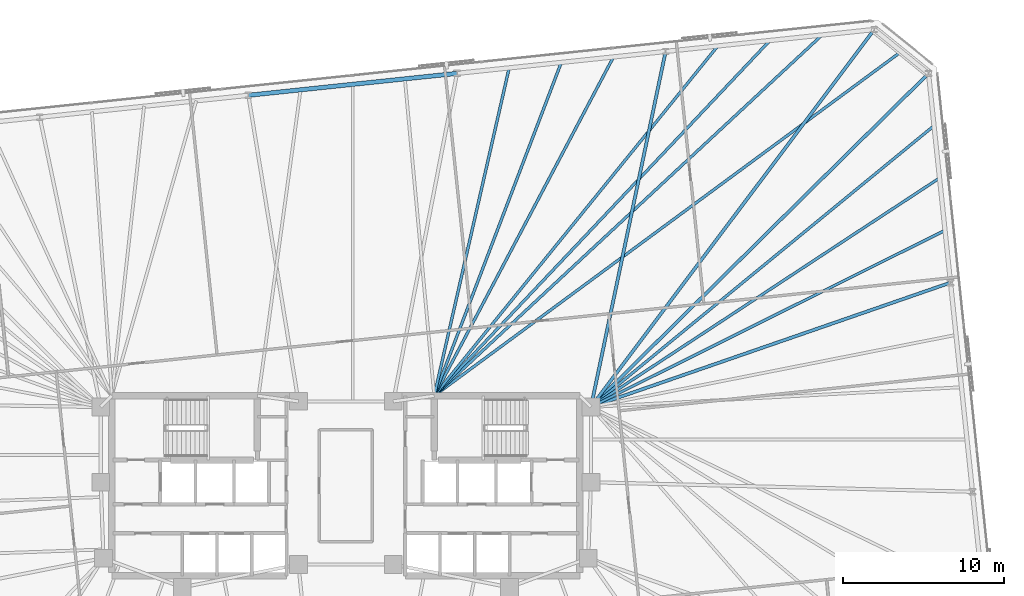
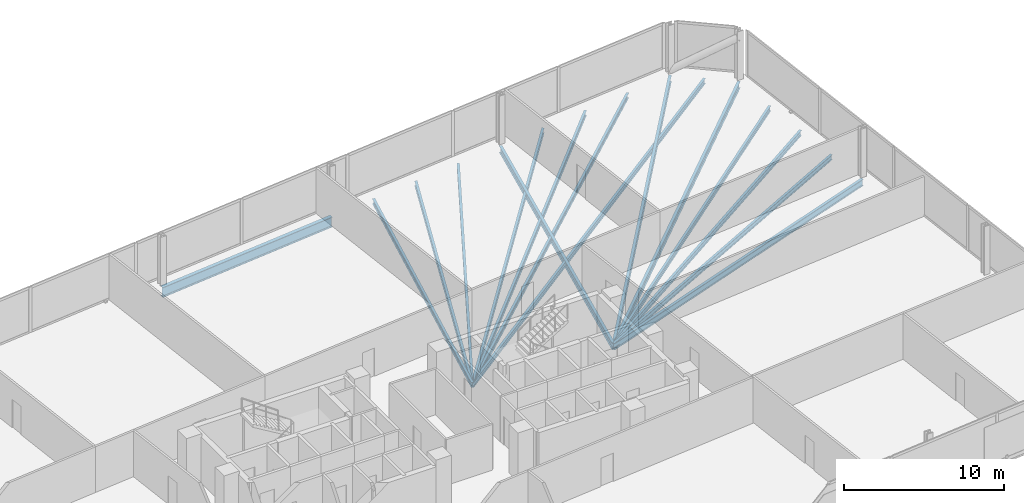
# One storey, part 10 of 18: 15 beams.
"""IFC4 building model written with IfcOpenShell, lengths in metres."""

from ifc_helpers import new_model, si_unit, direction, frame, origin, origin_2d, place, context, subcontext, project, spatial, i_section, extrude, material, material_profile, profile_set, type_object, element, save


model = new_model("IFC4")

# Units and contexts
model_context = context("Model", 3, precision=1e-05, world=origin(), true_north=direction((0.0, 1.0)))
body_context = subcontext(model_context, "Body", "Model", "MODEL_VIEW")
ifc_project = project(units=[si_unit("LENGTHUNIT", "METRE"), si_unit("AREAUNIT", "SQUARE_METRE"), si_unit("VOLUMEUNIT", "CUBIC_METRE"), si_unit("PLANEANGLEUNIT", "RADIAN"), si_unit("MASSUNIT", "GRAM", prefix="KILO")], contexts=[model_context])

# Site, building, storey
site_placement = place(None, origin())
site = spatial("IfcSite", under=ifc_project, at=site_placement, CompositionType="ELEMENT")
building_placement = place(site_placement, origin())
building = spatial("IfcBuilding", under=site, at=building_placement, Name="Menara Jurai Vektor", CompositionType="ELEMENT")
storey_placement = place(building_placement, frame((0.0, 0.0, 94.800048828125)))
storey = spatial("IfcBuildingStorey", under=building, at=storey_placement, Name="L23", CompositionType="ELEMENT", Elevation=94.800048828125)

# Beams
ifc_material_1 = material(Name="Steel S355", Category="steel")
ifc_material_profile_1 = material_profile(ifc_material_1, i_section(OverallWidth=0.199951171875, OverallDepth=0.5, WebThickness=0.011962890625, FlangeThickness=0.02001953125, at=origin_2d()), Name="PG 500x200x96")
ifc_profile_set_1 = profile_set([ifc_material_profile_1], Name="Steel S355")
beam_type_1 = type_object("IfcBeamType", Name="STR-BM-500", PredefinedType="BEAM", material=ifc_profile_set_1)
beam_1_placement = place(storey_placement, frame((37.62060546875, 12.638427734375, -0.47509765625), z_axis=(-0.945053249867, -0.326916434148, 0.0), x_axis=(0.326916434148, -0.945053249867, 0.0)))
element("IfcBeam", 1, at=beam_1_placement, inside=storey, type_object=beam_type_1, Name="Radial Floor Girder L23-E3", PredefinedType="BEAM", context=body_context, shape_type="SweptSolid", body=[
    extrude(i_section(OverallWidth=0.199951171875, OverallDepth=0.5, WebThickness=0.011962890625, FlangeThickness=0.02001953125, at=origin_2d()), origin(), (0.0, 0.0, 1.0), 23.671142578125),
])
beam_2_placement = place(storey_placement, frame((36.252685546875, 25.652099609375, -0.47509765625), z_axis=(-0.711335927547, -0.702852188004, 0.0), x_axis=(0.702852188004, -0.711335927547, 0.0)))
element("IfcBeam", 2, at=beam_2_placement, inside=storey, type_object=beam_type_1, Name="Radial Floor Girder L23-E4", PredefinedType="BEAM", context=body_context, shape_type="SweptSolid", body=[
    extrude(i_section(OverallWidth=0.199951171875, OverallDepth=0.5, WebThickness=0.011962890625, FlangeThickness=0.02001953125, at=origin_2d()), origin(), (0.0, 0.0, 1.0), 29.525634765625),
])
beam_3_placement = place(storey_placement, frame((32.876220703125, 28.38623046875, -0.47509765625), z_axis=(-0.600250057552, -0.799812395758, 0.0), x_axis=(0.799812395758, -0.600250057552, 0.0)))
element("IfcBeam", 3, at=beam_3_placement, inside=storey, type_object=beam_type_1, Name="Radial Floor Girder L23-N1", PredefinedType="BEAM", context=body_context, shape_type="SweptSolid", body=[
    extrude(i_section(OverallWidth=0.199951171875, OverallDepth=0.5, WebThickness=0.011962890625, FlangeThickness=0.02001953125, at=origin_2d()), origin(), (0.0, 0.0, 1.0), 29.36474609375),
])
beam_4_placement = place(storey_placement, frame((19.896728515625, 27.02197265625, -0.47509765625), z_axis=(-0.205563576063, -0.978643763683, 0.0), x_axis=(0.978643763683, -0.205563576063, 0.0)))
element("IfcBeam", 4, at=beam_4_placement, inside=storey, type_object=beam_type_1, Name="Radial Floor Girder L23-N2", PredefinedType="BEAM", context=body_context, shape_type="SweptSolid", body=[
    extrude(i_section(OverallWidth=0.199951171875, OverallDepth=0.5, WebThickness=0.011962890625, FlangeThickness=0.02001953125, at=origin_2d()), origin(), (0.0, 0.0, 1.0), 22.604736328125),
])
ifc_material_profile_2 = material_profile(ifc_material_1, i_section(OverallWidth=0.175048828125, OverallDepth=0.3798828125, WebThickness=0.010009765625, FlangeThickness=0.014892578125, at=origin_2d()), Name="PG 380x175x58")
ifc_profile_set_2 = profile_set([ifc_material_profile_2], Name="Steel S355")
beam_type_2 = type_object("IfcBeamType", Name="STR-JS-380", PredefinedType="JOIST", material=ifc_profile_set_2)
beam_5_placement = place(storey_placement, frame((37.278564453125, 15.891845703125, -0.4150390625), z_axis=(-0.894789854106, -0.446487532849, 0.0), x_axis=(0.446487532849, -0.894789854106, 0.0)))
element("IfcBeam", 5, at=beam_5_placement, inside=storey, type_object=beam_type_2, Name="Radial Secondary Floor Joist L23-JS16", PredefinedType="JOIST", context=body_context, shape_type="SweptSolid", body=[
    extrude(i_section(OverallWidth=0.175048828125, OverallDepth=0.3798828125, WebThickness=0.010009765625, FlangeThickness=0.014892578125, at=origin_2d()), origin(), (0.0, 0.0, 1.0), 24.61865234375),
])
beam_6_placement = place(storey_placement, frame((36.936767578125, 19.145263671875, -0.4150390625), z_axis=(-0.835810585743, -0.549017909326, 0.0), x_axis=(0.549017909326, -0.835810585743, 0.0)))
element("IfcBeam", 6, at=beam_6_placement, inside=storey, type_object=beam_type_2, Name="Radial Secondary Floor Joist L23-JS17", PredefinedType="JOIST", context=body_context, shape_type="SweptSolid", body=[
    extrude(i_section(OverallWidth=0.175048828125, OverallDepth=0.3798828125, WebThickness=0.010009765625, FlangeThickness=0.014892578125, at=origin_2d()), origin(), (0.0, 0.0, 1.0), 25.947021484375),
])
beam_7_placement = place(storey_placement, frame((36.5947265625, 22.398681640625, -0.4150390625), z_axis=(-0.773337004811, -0.63399517111, 0.0), x_axis=(0.63399517111, -0.773337004811, 0.0)))
element("IfcBeam", 7, at=beam_7_placement, inside=storey, type_object=beam_type_2, Name="Radial Secondary Floor Joist L23-JS18", PredefinedType="JOIST", context=body_context, shape_type="SweptSolid", body=[
    extrude(i_section(OverallWidth=0.175048828125, OverallDepth=0.3798828125, WebThickness=0.010009765625, FlangeThickness=0.014892578125, at=origin_2d()), origin(), (0.0, 0.0, 1.0), 27.600830078125),
])
beam_8_placement = place(storey_placement, frame((34.564453125, 27.01904296875, -0.4150390625), z_axis=(-0.805015724179, -0.593253473504, 0.0), x_axis=(0.593253473504, -0.805015724179, 0.0)))
element("IfcBeam", 8, at=beam_8_placement, inside=storey, type_object=beam_type_2, Name="Radial Secondary Floor Joist L23-JS19", PredefinedType="JOIST", context=body_context, shape_type="SweptSolid", body=[
    extrude(i_section(OverallWidth=0.175048828125, OverallDepth=0.3798828125, WebThickness=0.010009765625, FlangeThickness=0.014892578125, at=origin_2d()), origin(), (0.0, 0.0, 1.0), 36.104248046875),
])
beam_9_placement = place(storey_placement, frame((29.63134765625, 28.045166015625, -0.4150390625), z_axis=(-0.732227546694, -0.681060070671, 0.0), x_axis=(0.681060070671, -0.732227546694, 0.0)))
element("IfcBeam", 9, at=beam_9_placement, inside=storey, type_object=beam_type_2, Name="Radial Secondary Floor Joist L23-JS20", PredefinedType="JOIST", context=body_context, shape_type="SweptSolid", body=[
    extrude(i_section(OverallWidth=0.175048828125, OverallDepth=0.3798828125, WebThickness=0.010009765625, FlangeThickness=0.014892578125, at=origin_2d()), origin(), (0.0, 0.0, 1.0), 32.9560546875),
])
beam_10_placement = place(storey_placement, frame((26.386474609375, 27.7041015625, -0.4150390625), z_axis=(-0.686805497462, -0.726841254096, 0.0), x_axis=(0.726841254096, -0.686805497462, 0.0)))
element("IfcBeam", 10, at=beam_10_placement, inside=storey, type_object=beam_type_2, Name="Radial Secondary Floor Joist L23-JS21", PredefinedType="JOIST", context=body_context, shape_type="SweptSolid", body=[
    extrude(i_section(OverallWidth=0.175048828125, OverallDepth=0.3798828125, WebThickness=0.010009765625, FlangeThickness=0.014892578125, at=origin_2d()), origin(), (0.0, 0.0, 1.0), 30.4111328125),
])
beam_11_placement = place(storey_placement, frame((23.1416015625, 27.363037109375, -0.4150390625), z_axis=(-0.629715269624, -0.776826028917, 0.0), x_axis=(0.776826028917, -0.629715269624, 0.0)))
element("IfcBeam", 11, at=beam_11_placement, inside=storey, type_object=beam_type_2, Name="Radial Secondary Floor Joist L23-JS22", PredefinedType="JOIST", context=body_context, shape_type="SweptSolid", body=[
    extrude(i_section(OverallWidth=0.175048828125, OverallDepth=0.3798828125, WebThickness=0.010009765625, FlangeThickness=0.014892578125, at=origin_2d()), origin(), (0.0, 0.0, 1.0), 28.01513671875),
])
beam_12_placement = place(storey_placement, frame((16.651611328125, 26.680908203125, -0.4150390625), z_axis=(-0.467598899237, -0.883940761268, 0.0), x_axis=(0.883940761268, -0.467598899237, 0.0)))
element("IfcBeam", 12, at=beam_12_placement, inside=storey, type_object=beam_type_2, Name="Radial Secondary Floor Joist L23-JS23", PredefinedType="JOIST", context=body_context, shape_type="SweptSolid", body=[
    extrude(i_section(OverallWidth=0.175048828125, OverallDepth=0.3798828125, WebThickness=0.010009765625, FlangeThickness=0.014892578125, at=origin_2d()), origin(), (0.0, 0.0, 1.0), 23.8486328125),
])
beam_13_placement = place(storey_placement, frame((13.40673828125, 26.33984375, -0.4150390625), z_axis=(-0.3562267616, -0.934399536772, 0.0), x_axis=(0.934399536772, -0.3562267616, 0.0)))
element("IfcBeam", 13, at=beam_13_placement, inside=storey, type_object=beam_type_2, Name="Radial Secondary Floor Joist L23-JS24", PredefinedType="JOIST", context=body_context, shape_type="SweptSolid", body=[
    extrude(i_section(OverallWidth=0.175048828125, OverallDepth=0.3798828125, WebThickness=0.010009765625, FlangeThickness=0.014892578125, at=origin_2d()), origin(), (0.0, 0.0, 1.0), 22.19580078125),
])
beam_14_placement = place(storey_placement, frame((10.161865234375, 25.998779296875, -0.4150390625), z_axis=(-0.222793437271, -0.974865675008, 0.0), x_axis=(0.974865675008, -0.222793437271, 0.0)))
element("IfcBeam", 14, at=beam_14_placement, inside=storey, type_object=beam_type_2, Name="Radial Secondary Floor Joist L23-JS25", PredefinedType="JOIST", context=body_context, shape_type="SweptSolid", body=[
    extrude(i_section(OverallWidth=0.175048828125, OverallDepth=0.3798828125, WebThickness=0.010009765625, FlangeThickness=0.014892578125, at=origin_2d()), origin(), (0.0, 0.0, 1.0), 20.924560546875),
])
ifc_material_2 = material(Name="Steel S460", Category="steel")
ifc_material_profile_3 = material_profile(ifc_material_2, i_section(OverallWidth=0.26806640625, OverallDepth=0.77001953125, WebThickness=0.01611328125, FlangeThickness=0.02490234375, FilletRadius=0.01708984375, at=origin_2d()), Name="UKB 762x267x197")
ifc_profile_set_3 = profile_set([ifc_material_profile_3], Name="Steel S460")
beam_type_3 = type_object("IfcBeamType", Name="STR-SP-762", PredefinedType="SPANDREL", material=ifc_profile_set_3)
beam_15_placement = place(storey_placement, frame((6.9169921875, 25.65771484375, -0.610107421875), z_axis=(-0.994521431679, -0.104532874882, 0.0), x_axis=(0.104532874882, -0.994521431679, 0.0)))
element("IfcBeam", 15, at=beam_15_placement, inside=storey, type_object=beam_type_3, Name="Exoskeleton Spandrel Beam L23-13", PredefinedType="SPANDREL", context=body_context, shape_type="SweptSolid", body=[
    extrude(i_section(OverallWidth=0.26806640625, OverallDepth=0.77001953125, WebThickness=0.01611328125, FlangeThickness=0.02490234375, FilletRadius=0.01708984375, at=origin_2d()), origin(), (0.0, 0.0, 1.0), 13.051025390625),
])

save(model, "model.ifc")
